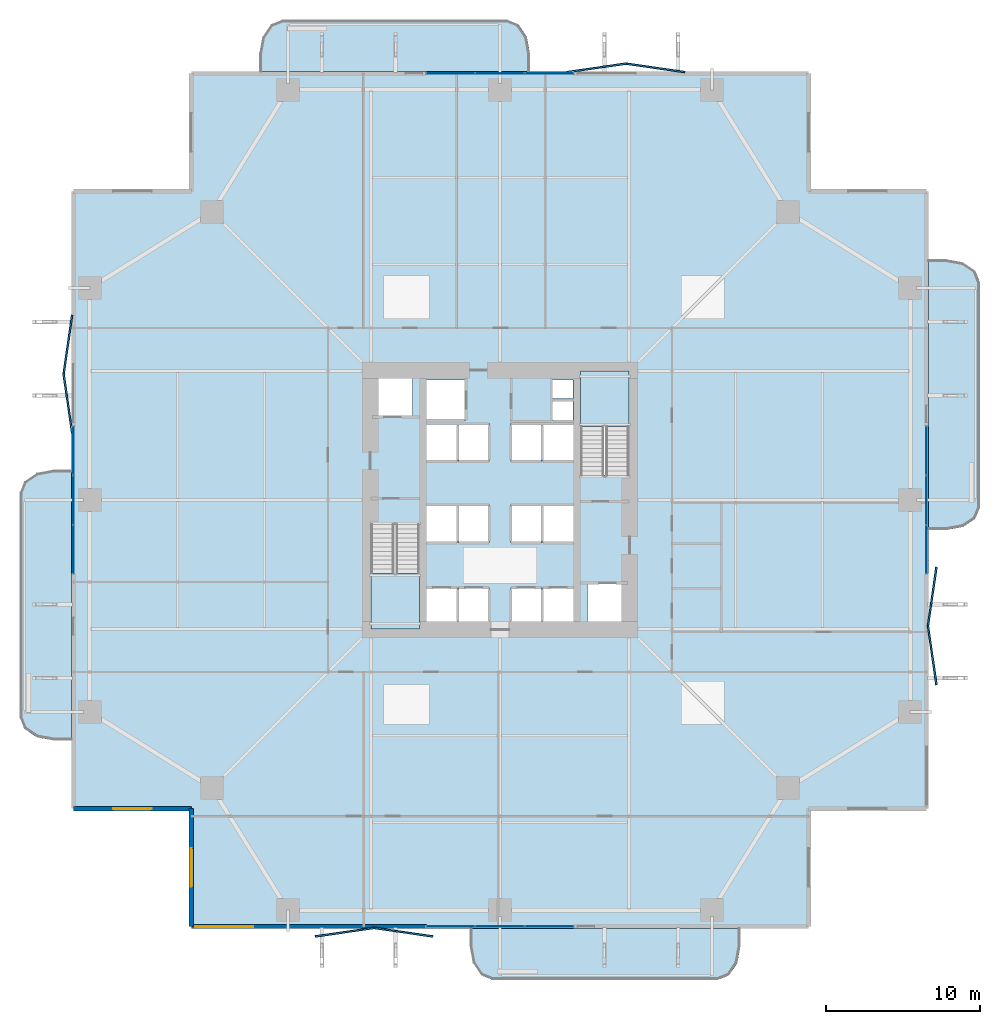
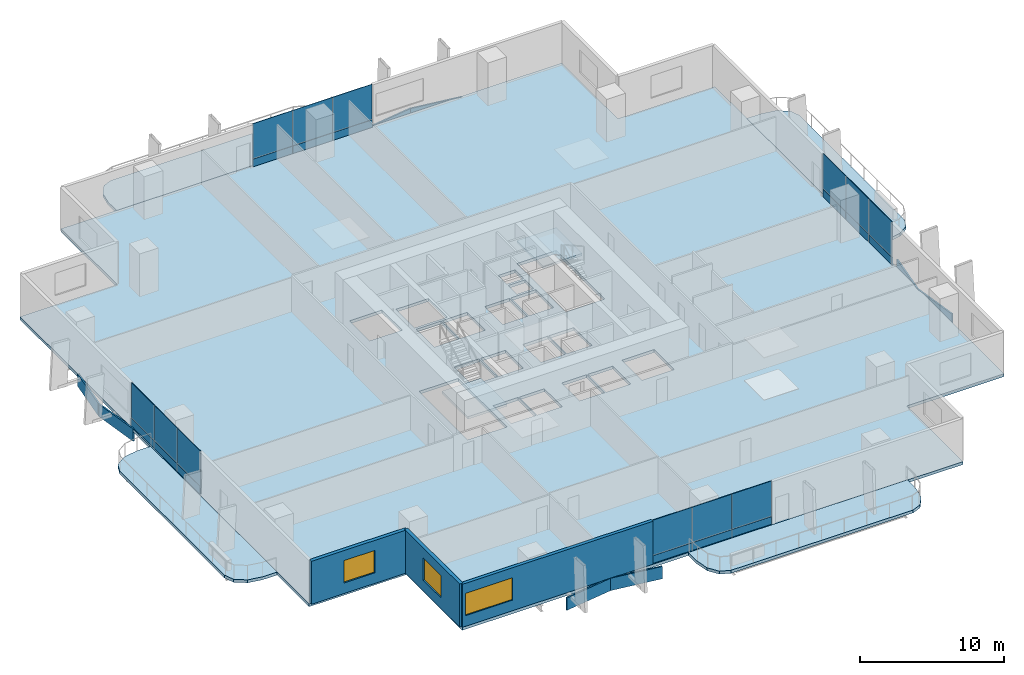
# One storey, part 16 of 24: 32 plates, 7 slabs, 3 walls, 3 windows, 3 openings, 6 elements without a shape of their own.
"""IFC4 building model written with IfcOpenShell, lengths in metres."""

import ifcopenshell
import ifcopenshell.guid

model = None  # the IFC model being written
_history = None  # IfcOwnerHistory: only IFC2X3 demands one
_inside = {}  # id of a spatial element -> (the spatial element, [elements in it])
_under = {}  # id of a project, library or spatial element -> (it, [spatial elements below it])
_declared = {}  # id of a project -> (the project, [libraries it declares])
_typed = {}  # id of a type object -> (the type object, [elements of that type])
_made_of = {}  # id of a material, layer set ... -> (it, [elements and type objects made of it])


def new_model(schema):
    """Start an empty IFC model of exactly this schema.

    Asked for "IFC4X3", IfcOpenShell would pick the latest addendum, in which some entities
    have other attributes; the version numbers below select the first issue.
    IFC2X3 requires an IfcOwnerHistory on every rooted entity: one is made here for all.
    """
    global model, _history
    if schema == "IFC4X3":
        model = ifcopenshell.file(schema_version=(4, 3, 0, 0))
    else:
        model = ifcopenshell.file(schema=schema)
    _inside.clear()
    _under.clear()
    _declared.clear()
    _typed.clear()
    _made_of.clear()
    _history = None
    if model.schema == "IFC2X3":
        org = make("IfcOrganization", Name="unknown")
        user = make(
            "IfcPersonAndOrganization",
            ThePerson=make("IfcPerson", FamilyName="unknown"),
            TheOrganization=org,
        )
        app = make(
            "IfcApplication",
            ApplicationDeveloper=org,
            Version="unknown",
            ApplicationFullName="unknown",
            ApplicationIdentifier="unknown",
        )
        _history = make(
            "IfcOwnerHistory",
            OwningUser=user,
            OwningApplication=app,
            ChangeAction="ADDED",
            CreationDate=0,
        )
    return model


def make(cls, **values):
    """One entity of the class cls with the attributes given. An attribute that is None is left unset."""
    return model.create_entity(
        cls, **{name: value for name, value in values.items() if value is not None}
    )


def rooted(cls, **values):
    """An entity with a GlobalId (a new one), such as an element, a storey or a relation."""
    return make(cls, GlobalId=ifcopenshell.guid.new(), OwnerHistory=_history, **values)


def si_unit(unit_type, name, prefix=None):
    """IfcSIUnit, for example si_unit("LENGTHUNIT", "METRE", prefix="MILLI")."""
    return make("IfcSIUnit", UnitType=unit_type, Prefix=prefix, Name=name)


def assignment(units):
    """IfcUnitAssignment: the units of a project."""
    return None if units is None else make("IfcUnitAssignment", Units=units)


def point(xyz):
    """IfcCartesianPoint."""
    return None if xyz is None else make("IfcCartesianPoint", Coordinates=xyz)


def direction(xyz):
    """IfcDirection."""
    return None if xyz is None else make("IfcDirection", DirectionRatios=xyz)


def frame(location, z_axis=None, x_axis=None):
    """IfcAxis2Placement3D, a coordinate frame: its origin and axes. An axis left out is left unset."""
    return make(
        "IfcAxis2Placement3D",
        Location=point(location),
        Axis=direction(z_axis),
        RefDirection=direction(x_axis),
    )


def frame_2d(location, x_axis=None):
    """IfcAxis2Placement2D, a coordinate frame in the plane: its origin and x axis."""
    return make(
        "IfcAxis2Placement2D", Location=point(location), RefDirection=direction(x_axis)
    )


def origin():
    """The frame at (0, 0, 0) with its axes left unset."""
    return frame((0.0, 0.0, 0.0))


def origin_2d():
    """The frame at (0, 0) in the plane with its x axis left unset."""
    return frame_2d((0.0, 0.0))


def place(relative_to, where):
    """IfcLocalPlacement: puts the frame where relative to a parent placement (None: the world)."""
    return make(
        "IfcLocalPlacement", PlacementRelTo=relative_to, RelativePlacement=where
    )


def context(
    kind, dimensions, precision=None, world=None, true_north=None, identifier=None
):
    """IfcGeometricRepresentationContext, for example the 3D "Model" context."""
    return make(
        "IfcGeometricRepresentationContext",
        ContextIdentifier=identifier,
        ContextType=kind,
        CoordinateSpaceDimension=dimensions,
        Precision=precision,
        WorldCoordinateSystem=world,
        TrueNorth=true_north,
    )


def subcontext(parent, identifier, kind, view, scale=None):
    """IfcGeometricRepresentationSubContext, for example "Body" below "Model"."""
    return make(
        "IfcGeometricRepresentationSubContext",
        ContextIdentifier=identifier,
        ContextType=kind,
        ParentContext=parent,
        TargetScale=scale,
        TargetView=view,
    )


def project(units=None, contexts=None):
    """IfcProject with its units and contexts."""
    return rooted(
        "IfcProject",
        Name="project",
        RepresentationContexts=contexts,
        UnitsInContext=assignment(units),
    )


def spatial(cls, under=None, at=None, **own):
    """A site, building, storey or space (cls), placed at a placement, below another one or the project."""
    s = rooted(cls, ObjectPlacement=at, **own)
    if under is not None:
        _under.setdefault(under.id(), (under, []))[1].append(s)
    return s


def polyline(points):
    """IfcPolyline through the points."""
    return make("IfcPolyline", Points=[point(p) for p in points])


def profile(cls, at=None, kind="AREA", **sizes):
    """A parametric profile (cls). Its sizes go by their IFC names, for example OverallWidth=200.0."""
    return make(cls, ProfileType=kind, Position=at, **sizes)


def rectangle(**sizes):
    """IfcRectangleProfileDef."""
    return profile("IfcRectangleProfileDef", **sizes)


def outline(outer, holes=None, kind="AREA"):
    """IfcArbitraryClosedProfileDef: a profile drawn as a closed curve; with holes, ...WithVoids."""
    if holes is None:
        return make("IfcArbitraryClosedProfileDef", ProfileType=kind, OuterCurve=outer)
    return make(
        "IfcArbitraryProfileDefWithVoids",
        ProfileType=kind,
        OuterCurve=outer,
        InnerCurves=holes,
    )


def extrude(swept, where, along, depth):
    """IfcExtrudedAreaSolid: the profile swept, set in the frame where, extruded along a direction by depth."""
    return make(
        "IfcExtrudedAreaSolid",
        SweptArea=swept,
        Position=where,
        ExtrudedDirection=direction(along),
        Depth=depth,
    )


def shape(context_of_items, identifier, shape_type, items):
    """IfcShapeRepresentation: the items that make up one representation, for example the "Body"."""
    return make(
        "IfcShapeRepresentation",
        ContextOfItems=context_of_items,
        RepresentationIdentifier=identifier,
        RepresentationType=shape_type,
        Items=items,
    )


def material(Name=None, Category=None):
    """IfcMaterial."""
    return make("IfcMaterial", Name=Name, Category=Category)


def layer(
    of_material, thickness, ventilated=None, Name=None, Category=None, Priority=None
):
    """IfcMaterialLayer: one layer of a wall or slab, of a material (None: an air gap)."""
    return make(
        "IfcMaterialLayer",
        Material=of_material,
        LayerThickness=thickness,
        IsVentilated=ventilated,
        Name=Name,
        Category=Category,
        Priority=Priority,
    )


def layer_set(layers, Name=None):
    """IfcMaterialLayerSet."""
    return make("IfcMaterialLayerSet", MaterialLayers=layers, LayerSetName=Name)


def made_of(thing, what):
    """Note that an element or type object is made of a material, layer set ...; save() writes the relation."""
    if what is not None:
        _made_of.setdefault(what.id(), (what, []))[1].append(thing)
    return thing


def type_object(cls, material=None, **own):
    """A type object (cls), such as IfcWallType, which elements share."""
    return made_of(rooted(cls, **own), material)


def element(
    cls,
    number,
    at=None,
    inside=None,
    cuts=None,
    type_object=None,
    material=None,
    context=None,
    identifier="Body",
    shape_type=None,
    held_by="IfcProductDefinitionShape",
    body=None,
    shapes=None,
    **own,
):
    """One element of the class cls, such as IfcWall. Its Tag is "e" and its number.

    at: its placement. inside: the storey or other place that contains it. cuts: it is an
    opening in that element (IfcRelVoidsElement). A single representation is given by context,
    identifier, shape_type and body (its items); several are given by shapes. held_by: the class
    of the entity that holds the representations. save() writes the other relations.
    """
    e = rooted(cls, Tag="e%d" % number, ObjectPlacement=at, **own)
    if body is not None:
        shapes = [shape(context, identifier, shape_type, body)]
    if shapes is not None:
        e.Representation = make(held_by, Representations=shapes)
    if inside is not None:
        _inside.setdefault(inside.id(), (inside, []))[1].append(e)
    if cuts is not None:
        rooted(
            "IfcRelVoidsElement", RelatingBuildingElement=cuts, RelatedOpeningElement=e
        )
    if type_object is not None:
        _typed.setdefault(type_object.id(), (type_object, []))[1].append(e)
    return made_of(e, material)


def fill(opening, filler):
    """IfcRelFillsElement: the door or window that sits in an opening."""
    return rooted(
        "IfcRelFillsElement",
        RelatingOpeningElement=opening,
        RelatedBuildingElement=filler,
    )


def aggregate(whole, parts):
    """IfcRelAggregates: a whole, such as a stair, and the parts it consists of."""
    return rooted("IfcRelAggregates", RelatingObject=whole, RelatedObjects=parts)


def save(model, path):
    """Write the relations noted so far, then the file.

    IfcRelAggregates (storeys below a building ...), IfcRelContainedInSpatialStructure (elements
    in a storey), IfcRelDefinesByType, IfcRelAssociatesMaterial and IfcRelDeclares: one each for
    every whole, place, type object, material and project.
    """
    for whole, parts in _under.values():
        aggregate(whole, parts)
    for where, things in _inside.values():
        rooted(
            "IfcRelContainedInSpatialStructure",
            RelatedElements=things,
            RelatingStructure=where,
        )
    for kind, things in _typed.values():
        rooted("IfcRelDefinesByType", RelatedObjects=things, RelatingType=kind)
    for what, things in _made_of.values():
        rooted("IfcRelAssociatesMaterial", RelatedObjects=things, RelatingMaterial=what)
    for by, libraries in _declared.values():
        rooted("IfcRelDeclares", RelatingContext=by, RelatedDefinitions=libraries)
    model.write(path)


model = new_model("IFC4")

# Units and contexts
model_context = context("Model", 3, precision=1e-05, world=origin(), true_north=direction((0.0, 1.0)))
body_context = subcontext(model_context, "Body", "Model", "MODEL_VIEW")
ifc_project = project(units=[si_unit("LENGTHUNIT", "METRE"), si_unit("AREAUNIT", "SQUARE_METRE"), si_unit("VOLUMEUNIT", "CUBIC_METRE"), si_unit("PLANEANGLEUNIT", "RADIAN"), si_unit("MASSUNIT", "GRAM", prefix="KILO")], contexts=[model_context])

# Site, building, storey
site_placement = place(None, origin())
site = spatial("IfcSite", under=ifc_project, at=site_placement, CompositionType="ELEMENT")
building_placement = place(site_placement, origin())
building = spatial("IfcBuilding", under=site, at=building_placement, Name="Belovzor Exchange Tower", CompositionType="ELEMENT")
storey_placement = place(building_placement, frame((0.0, 0.0, 61.199951171875)))
storey = spatial("IfcBuildingStorey", under=building, at=storey_placement, Name="L14", CompositionType="ELEMENT", Elevation=61.199951171875)

# Slab
ifc_material_1 = material(Name="Concrete C40/50", Category="concrete")
ifc_layer_1 = layer(ifc_material_1, 0.25)
ifc_layer_set_1 = layer_set([ifc_layer_1], Name="Concrete C40/50")
slab_type_1 = type_object("IfcSlabType", Name="Composite Concrete Floor Deck Slab 250", PredefinedType="FLOOR", material=ifc_layer_set_1)
slab_1_placement = place(storey_placement, frame((0.0, 0.0, -0.25)))
element("IfcSlab", 1, at=slab_1_placement, inside=storey, type_object=slab_type_1, Name="SL-F250 Structural Slab L14", PredefinedType="FLOOR", context=body_context, shape_type="SweptSolid", body=[
    extrude(outline(polyline([(8.699951171875, 0.89990234375), (48.89990234375, 0.89990234375), (48.89990234375, 8.699951171875), (56.699951171875, 8.699951171875), (56.699951171875, 48.89990234375), (48.89990234375, 48.89990234375), (48.89990234375, 56.699951171875), (8.699951171875, 56.699951171875), (8.699951171875, 48.89990234375), (0.89990234375, 48.89990234375), (0.89990234375, 8.699951171875), (8.699951171875, 8.699951171875), (8.699951171875, 0.89990234375)]), holes=[polyline([(20.39990234375, 27.175048828125), (20.39990234375, 20.39990234375), (23.550048828125, 20.39990234375), (23.550048828125, 27.175048828125), (20.39990234375, 27.175048828125)]), polyline([(37.199951171875, 30.425048828125), (37.199951171875, 37.199951171875), (34.050048828125, 37.199951171875), (34.050048828125, 30.425048828125), (37.199951171875, 30.425048828125)]), polyline([(20.5, 34.199951171875), (23.10009765625, 34.199951171875), (23.10009765625, 37.0), (20.5, 37.0), (20.5, 34.199951171875)]), polyline([(34.5, 20.60009765625), (37.10009765625, 20.60009765625), (37.10009765625, 23.39990234375), (34.5, 23.39990234375), (34.5, 20.60009765625)]), polyline([(24.0, 34.0), (26.60009765625, 34.0), (26.60009765625, 36.60009765625), (24.0, 36.60009765625), (24.0, 34.0)]), polyline([(24.0, 20.60009765625), (26.0, 20.60009765625), (26.0, 23.10009765625), (24.0, 23.10009765625), (24.0, 20.60009765625)]), polyline([(26.10009765625, 20.60009765625), (28.10009765625, 20.60009765625), (28.10009765625, 23.10009765625), (26.10009765625, 23.10009765625), (26.10009765625, 20.60009765625)]), polyline([(29.5, 20.60009765625), (31.5, 20.60009765625), (31.5, 23.10009765625), (29.5, 23.10009765625), (29.5, 20.60009765625)]), polyline([(31.60009765625, 20.60009765625), (33.60009765625, 20.60009765625), (33.60009765625, 23.10009765625), (31.60009765625, 23.10009765625), (31.60009765625, 20.60009765625)]), polyline([(24.0, 26.0), (26.0, 26.0), (26.0, 28.5), (24.0, 28.5), (24.0, 26.0)]), polyline([(26.10009765625, 26.0), (28.10009765625, 26.0), (28.10009765625, 28.5), (26.10009765625, 28.5), (26.10009765625, 26.0)]), polyline([(29.5, 26.0), (31.5, 26.0), (31.5, 28.5), (29.5, 28.5), (29.5, 26.0)]), polyline([(31.60009765625, 26.0), (33.60009765625, 26.0), (33.60009765625, 28.5), (31.60009765625, 28.5), (31.60009765625, 26.0)]), polyline([(24.0, 31.300048828125), (26.0, 31.300048828125), (26.0, 33.800048828125), (24.0, 33.800048828125), (24.0, 31.300048828125)]), polyline([(26.10009765625, 31.300048828125), (28.10009765625, 31.300048828125), (28.10009765625, 33.800048828125), (26.10009765625, 33.800048828125), (26.10009765625, 31.300048828125)]), polyline([(29.5, 31.300048828125), (31.5, 31.300048828125), (31.5, 33.800048828125), (29.5, 33.800048828125), (29.5, 31.300048828125)]), polyline([(31.60009765625, 31.300048828125), (33.60009765625, 31.300048828125), (33.60009765625, 33.800048828125), (31.60009765625, 33.800048828125), (31.60009765625, 31.300048828125)]), polyline([(32.199951171875, 34.0), (33.550048828125, 34.0), (33.550048828125, 35.199951171875), (32.199951171875, 35.199951171875), (32.199951171875, 34.0)]), polyline([(32.199951171875, 35.39990234375), (33.550048828125, 35.39990234375), (33.550048828125, 36.60009765625), (32.199951171875, 36.60009765625), (32.199951171875, 35.39990234375)])]), origin(), (0.0, 0.0, 1.0), 0.25),
])

# Plates
ifc_material_2 = material(Name="Extruded Architectural Terracotta", Category="masonry")
ifc_layer_2 = layer(ifc_material_2, 0.1201171875)
ifc_layer_set_2 = layer_set([ifc_layer_2], Name="Extruded Architectural Terracotta")
plate_type_1 = type_object("IfcPlateType", Name="Folded Zigzag Terracotta Spandrel Louvre 80", PredefinedType="USERDEFINED", material=ifc_layer_set_2)
for number, where, z_axis, x_axis, name in (
    (2, (18.699951171875, 0.6650390625, -1.03515625), (0.0, 0.0, 1.0), (0.989686419138, 0.143250800258, 0.0), "LVR-ZZ1 Zigzag Terracotta Spandrel Louvre L14 S1A"),
    (3, (22.5, 0.6650390625, -1.03515625), (0.0, 0.0, 1.0), (0.989686419138, -0.143250800258, 0.0), "LVR-ZZ1 Zigzag Terracotta Spandrel Louvre L14 S1B"),
    (4, (56.93505859375, 18.699951171875, -1.03515625), (0.0, 0.0, 1.0), (-0.143250800258, 0.989686419138, 0.0), "LVR-ZZ1 Zigzag Terracotta Spandrel Louvre L14 E1A"),
    (5, (56.93505859375, 22.5, -1.03515625), (0.0, 0.0, 1.0), (0.143250800258, 0.989686419138, 0.0), "LVR-ZZ1 Zigzag Terracotta Spandrel Louvre L14 E1B"),
    (6, (35.10009765625, 56.93505859375, -1.03515625), (0.0, 0.0, 1.0), (0.989686419138, 0.143250800258, 0.0), "LVR-ZZ1 Zigzag Terracotta Spandrel Louvre L14 N2A"),
    (7, (38.89990234375, 56.93505859375, -1.03515625), (0.0, 0.0, 1.0), (0.989686419138, -0.143250800258, 0.0), "LVR-ZZ1 Zigzag Terracotta Spandrel Louvre L14 N2B"),
    (8, (0.6650390625, 35.10009765625, -1.03515625), (0.0, 0.0, 1.0), (-0.143250800258, 0.989686419138, 0.0), "LVR-ZZ1 Zigzag Terracotta Spandrel Louvre L14 W2A"),
    (9, (0.6650390625, 38.89990234375, -1.03515625), (0.0, 0.0, 1.0), (0.143250800258, 0.989686419138, 0.0), "LVR-ZZ1 Zigzag Terracotta Spandrel Louvre L14 W2B"),
):
    element("IfcPlate", number, at=place(storey_placement, frame(where, z_axis=z_axis, x_axis=x_axis)), inside=storey, type_object=plate_type_1, Name=name, ObjectType="SPANDREL_LOUVRE", PredefinedType="USERDEFINED", context=body_context, shape_type="SweptSolid", body=[
        extrude(rectangle(XDim=3.919921875, YDim=0.1201171875, at=origin_2d()), origin(), (0.0, 0.0, 1.0), 1.050048828125),
    ])

# Curtain wall, plates
ifc_material_3 = material(Name="Anodised Aluminium Framing", Category="aluminium")
ifc_layer_3 = layer(ifc_material_3, 0.179931640625)
ifc_layer_set_3 = layer_set([ifc_layer_3], Name="Anodised Aluminium Framing")
curtain_wall_type = type_object("IfcCurtainWallType", Name="Recessed Loggia Low-Iron Triple-Glazed Curtain Wall", PredefinedType="NOTDEFINED", material=ifc_layer_set_3)
curtain_wall_1_placement = place(storey_placement, origin())
curtain_wall_1 = element("IfcCurtainWall", 10, at=curtain_wall_1_placement, inside=storey, type_object=curtain_wall_type, Name="CW3 Recessed Loggia Low-Iron Triple-Glazed Curtain Wall L14", PredefinedType="NOTDEFINED")
ifc_material_4 = material(Name="Solar-Control Triple Glazing", Category="glass")
ifc_layer_4 = layer(ifc_material_4, 0.0439453125)
ifc_layer_set_4 = layer_set([ifc_layer_4], Name="Solar-Control Triple Glazing")
plate_type_2 = type_object("IfcPlateType", Name="Insulated Solar Glazing Curtain Panel 44", PredefinedType="CURTAIN_PANEL", material=ifc_layer_set_4)
plate_1_placement = place(storey_placement, frame((32.0, 1.030029296875, 0.652099609375), z_axis=(0.0, 0.0, 1.0), x_axis=(-1.0, 0.0, 0.0)))
plate_1 = element("IfcPlate", 11, at=plate_1_placement, type_object=plate_type_2, Name="GLZ-44 Glazed Curtain Panel 1", PredefinedType="CURTAIN_PANEL", context=body_context, shape_type="SweptSolid", body=[
    extrude(rectangle(XDim=3.18408203125, YDim=0.0439453125, at=origin_2d()), origin(), (0.0, 0.0, 1.0), 2.998046875),
])
plate_2_placement = place(storey_placement, frame((28.800048828125, 1.030029296875, 0.652099609375), z_axis=(0.0, 0.0, 1.0), x_axis=(-1.0, 0.0, 0.0)))
plate_2 = element("IfcPlate", 12, at=plate_2_placement, type_object=plate_type_2, Name="GLZ-44 Glazed Curtain Panel 2", PredefinedType="CURTAIN_PANEL", context=body_context, shape_type="SweptSolid", body=[
    extrude(rectangle(XDim=3.18408203125, YDim=0.0439453125, at=origin_2d()), origin(), (0.0, 0.0, 1.0), 2.998046875),
])
plate_3_placement = place(storey_placement, frame((25.60009765625, 1.030029296875, 0.652099609375), z_axis=(0.0, 0.0, 1.0), x_axis=(-1.0, 0.0, 0.0)))
plate_3 = element("IfcPlate", 13, at=plate_3_placement, type_object=plate_type_2, Name="GLZ-44 Glazed Curtain Panel 3", PredefinedType="CURTAIN_PANEL", context=body_context, shape_type="SweptSolid", body=[
    extrude(rectangle(XDim=3.18408203125, YDim=0.0439453125, at=origin_2d()), origin(), (0.0, 0.0, 1.0), 2.998046875),
])

curtain_wall_2_placement = place(storey_placement, origin())
curtain_wall_2 = element("IfcCurtainWall", 14, at=curtain_wall_2_placement, inside=storey, type_object=curtain_wall_type, Name="CW3 Recessed Loggia Low-Iron Triple-Glazed Curtain Wall L14", PredefinedType="NOTDEFINED")
plate_4_placement = place(storey_placement, frame((25.60009765625, 56.570068359375, 0.652099609375), z_axis=(0.0, 0.0, 1.0), x_axis=(1.0, 0.0, 0.0)))
plate_4 = element("IfcPlate", 15, at=plate_4_placement, type_object=plate_type_2, Name="GLZ-44 Glazed Curtain Panel 1", PredefinedType="CURTAIN_PANEL", context=body_context, shape_type="SweptSolid", body=[
    extrude(rectangle(XDim=3.18408203125, YDim=0.0439453125, at=origin_2d()), origin(), (0.0, 0.0, 1.0), 2.998046875),
])
plate_5_placement = place(storey_placement, frame((28.800048828125, 56.570068359375, 0.652099609375), z_axis=(0.0, 0.0, 1.0), x_axis=(1.0, 0.0, 0.0)))
plate_5 = element("IfcPlate", 16, at=plate_5_placement, type_object=plate_type_2, Name="GLZ-44 Glazed Curtain Panel 2", PredefinedType="CURTAIN_PANEL", context=body_context, shape_type="SweptSolid", body=[
    extrude(rectangle(XDim=3.18408203125, YDim=0.0439453125, at=origin_2d()), origin(), (0.0, 0.0, 1.0), 2.998046875),
])
plate_6_placement = place(storey_placement, frame((32.0, 56.570068359375, 0.652099609375), z_axis=(0.0, 0.0, 1.0), x_axis=(1.0, 0.0, 0.0)))
plate_6 = element("IfcPlate", 17, at=plate_6_placement, type_object=plate_type_2, Name="GLZ-44 Glazed Curtain Panel 3", PredefinedType="CURTAIN_PANEL", context=body_context, shape_type="SweptSolid", body=[
    extrude(rectangle(XDim=3.18408203125, YDim=0.0439453125, at=origin_2d()), origin(), (0.0, 0.0, 1.0), 2.998046875),
])

curtain_wall_3_placement = place(storey_placement, origin())
curtain_wall_3 = element("IfcCurtainWall", 18, at=curtain_wall_3_placement, inside=storey, type_object=curtain_wall_type, Name="CW3 Recessed Loggia Low-Iron Triple-Glazed Curtain Wall L14", PredefinedType="NOTDEFINED")
plate_7_placement = place(storey_placement, frame((1.030029296875, 25.60009765625, 0.652099609375), z_axis=(0.0, 0.0, 1.0), x_axis=(0.0, 1.0, 0.0)))
plate_7 = element("IfcPlate", 19, at=plate_7_placement, type_object=plate_type_2, Name="GLZ-44 Glazed Curtain Panel 1", PredefinedType="CURTAIN_PANEL", context=body_context, shape_type="SweptSolid", body=[
    extrude(rectangle(XDim=3.18408203125, YDim=0.0439453125, at=origin_2d()), origin(), (0.0, 0.0, 1.0), 2.998046875),
])
plate_8_placement = place(storey_placement, frame((1.030029296875, 28.800048828125, 0.652099609375), z_axis=(0.0, 0.0, 1.0), x_axis=(0.0, 1.0, 0.0)))
plate_8 = element("IfcPlate", 20, at=plate_8_placement, type_object=plate_type_2, Name="GLZ-44 Glazed Curtain Panel 2", PredefinedType="CURTAIN_PANEL", context=body_context, shape_type="SweptSolid", body=[
    extrude(rectangle(XDim=3.18408203125, YDim=0.0439453125, at=origin_2d()), origin(), (0.0, 0.0, 1.0), 2.998046875),
])
plate_9_placement = place(storey_placement, frame((1.030029296875, 32.0, 0.652099609375), z_axis=(0.0, 0.0, 1.0), x_axis=(0.0, 1.0, 0.0)))
plate_9 = element("IfcPlate", 21, at=plate_9_placement, type_object=plate_type_2, Name="GLZ-44 Glazed Curtain Panel 3", PredefinedType="CURTAIN_PANEL", context=body_context, shape_type="SweptSolid", body=[
    extrude(rectangle(XDim=3.18408203125, YDim=0.0439453125, at=origin_2d()), origin(), (0.0, 0.0, 1.0), 2.998046875),
])

curtain_wall_4_placement = place(storey_placement, origin())
curtain_wall_4 = element("IfcCurtainWall", 22, at=curtain_wall_4_placement, inside=storey, type_object=curtain_wall_type, Name="CW3 Recessed Loggia Low-Iron Triple-Glazed Curtain Wall L14", PredefinedType="NOTDEFINED")
plate_10_placement = place(storey_placement, frame((56.570068359375, 32.0, 0.652099609375), z_axis=(0.0, 0.0, 1.0), x_axis=(0.0, -1.0, 0.0)))
plate_10 = element("IfcPlate", 23, at=plate_10_placement, type_object=plate_type_2, Name="GLZ-44 Glazed Curtain Panel 1", PredefinedType="CURTAIN_PANEL", context=body_context, shape_type="SweptSolid", body=[
    extrude(rectangle(XDim=3.18408203125, YDim=0.0439453125, at=origin_2d()), origin(), (0.0, 0.0, 1.0), 2.998046875),
])
plate_11_placement = place(storey_placement, frame((56.570068359375, 28.800048828125, 0.652099609375), z_axis=(0.0, 0.0, 1.0), x_axis=(0.0, -1.0, 0.0)))
plate_11 = element("IfcPlate", 24, at=plate_11_placement, type_object=plate_type_2, Name="GLZ-44 Glazed Curtain Panel 2", PredefinedType="CURTAIN_PANEL", context=body_context, shape_type="SweptSolid", body=[
    extrude(rectangle(XDim=3.18408203125, YDim=0.0439453125, at=origin_2d()), origin(), (0.0, 0.0, 1.0), 2.998046875),
])
plate_12_placement = place(storey_placement, frame((56.570068359375, 25.60009765625, 0.652099609375), z_axis=(0.0, 0.0, 1.0), x_axis=(0.0, -1.0, 0.0)))
plate_12 = element("IfcPlate", 25, at=plate_12_placement, type_object=plate_type_2, Name="GLZ-44 Glazed Curtain Panel 3", PredefinedType="CURTAIN_PANEL", context=body_context, shape_type="SweptSolid", body=[
    extrude(rectangle(XDim=3.18408203125, YDim=0.0439453125, at=origin_2d()), origin(), (0.0, 0.0, 1.0), 2.998046875),
])

# Stair, slab
ifc_material_5 = material(Name="Concrete C40/50", Category="concrete")
stair_type = type_object("IfcStairType", Name="Reinforced Concrete Dogleg Escape Stair 1350", PredefinedType="HALF_TURN_STAIR", material=ifc_material_5)
stair_1_placement = place(storey_placement, origin())
stair_1 = element("IfcStair", 26, at=stair_1_placement, inside=storey, type_object=stair_type, Name="L14 ST-1", PredefinedType="HALF_TURN_STAIR")
ifc_material_6 = material(Name="Concrete C40/50", Category="concrete")
ifc_layer_5 = layer(ifc_material_6, 0.199951171875)
ifc_layer_set_5 = layer_set([ifc_layer_5], Name="Concrete C40/50")
slab_type_2 = type_object("IfcSlabType", Name="Reinforced Concrete Stair Half-Landing Slab 200", PredefinedType="LANDING", material=ifc_layer_set_5)
slab_2_placement = place(storey_placement, frame((0.0, 0.0, 1.75)))
slab_2 = element("IfcSlab", 27, at=slab_2_placement, type_object=slab_type_2, Name="ST-1 landing 1", PredefinedType="LANDING", context=body_context, shape_type="SweptSolid", body=[
    extrude(outline(polyline([(20.39990234375, 24.010009765625), (20.39990234375, 20.39990234375), (23.550048828125, 20.39990234375), (23.550048828125, 24.010009765625), (20.39990234375, 24.010009765625)])), origin(), (0.0, 0.0, 1.0), 0.199951171875),
])
aggregate(stair_1, [slab_2])

stair_2_placement = place(storey_placement, origin())
stair_2 = element("IfcStair", 28, at=stair_2_placement, inside=storey, type_object=stair_type, Name="L14 ST-2", PredefinedType="HALF_TURN_STAIR")
slab_3_placement = place(storey_placement, frame((0.0, 0.0, 1.75)))
slab_3 = element("IfcSlab", 29, at=slab_3_placement, type_object=slab_type_2, Name="ST-2 landing 1", PredefinedType="LANDING", context=body_context, shape_type="SweptSolid", body=[
    extrude(outline(polyline([(37.199951171875, 33.590087890625), (37.199951171875, 37.199951171875), (34.050048828125, 37.199951171875), (34.050048828125, 33.590087890625), (37.199951171875, 33.590087890625)])), origin(), (0.0, 0.0, 1.0), 0.199951171875),
])
aggregate(stair_2, [slab_3])

# Plate
ifc_material_7 = material(Name="Extruded Architectural Terracotta", Category="masonry")
ifc_layer_6 = layer(ifc_material_7, 0.090087890625)
ifc_layer_set_6 = layer_set([ifc_layer_6], Name="Extruded Architectural Terracotta")
plate_type_3 = type_object("IfcPlateType", Name="Terracotta Shadow-Box Spandrel Panel 90", PredefinedType="CURTAIN_PANEL", material=ifc_layer_set_6)
plate_13_placement = place(storey_placement, frame((32.0, 1.030029296875, 0.0), z_axis=(0.0, 0.0, 1.0), x_axis=(-1.0, 0.0, 0.0)))
plate_13 = element("IfcPlate", 30, at=plate_13_placement, type_object=plate_type_3, Name="SPD-90 Spandrel Panel 1", PredefinedType="CURTAIN_PANEL", context=body_context, shape_type="SweptSolid", body=[
    extrude(rectangle(XDim=3.18408203125, YDim=0.090087890625, at=origin_2d()), origin(), (0.0, 0.0, 1.0), 0.64794921875),
])

plate_14_placement = place(storey_placement, frame((28.800048828125, 1.030029296875, 0.0), z_axis=(0.0, 0.0, 1.0), x_axis=(-1.0, 0.0, 0.0)))
plate_14 = element("IfcPlate", 31, at=plate_14_placement, type_object=plate_type_3, Name="SPD-90 Spandrel Panel 2", PredefinedType="CURTAIN_PANEL", context=body_context, shape_type="SweptSolid", body=[
    extrude(rectangle(XDim=3.18408203125, YDim=0.090087890625, at=origin_2d()), origin(), (0.0, 0.0, 1.0), 0.64794921875),
])

plate_15_placement = place(storey_placement, frame((25.60009765625, 1.030029296875, 0.0), z_axis=(0.0, 0.0, 1.0), x_axis=(-1.0, 0.0, 0.0)))
plate_15 = element("IfcPlate", 32, at=plate_15_placement, type_object=plate_type_3, Name="SPD-90 Spandrel Panel 3", PredefinedType="CURTAIN_PANEL", context=body_context, shape_type="SweptSolid", body=[
    extrude(rectangle(XDim=3.18408203125, YDim=0.090087890625, at=origin_2d()), origin(), (0.0, 0.0, 1.0), 0.64794921875),
])

aggregate(curtain_wall_1, [plate_13, plate_1, plate_14, plate_2, plate_15, plate_3])

plate_16_placement = place(storey_placement, frame((25.60009765625, 56.570068359375, 0.0), z_axis=(0.0, 0.0, 1.0), x_axis=(1.0, 0.0, 0.0)))
plate_16 = element("IfcPlate", 33, at=plate_16_placement, type_object=plate_type_3, Name="SPD-90 Spandrel Panel 1", PredefinedType="CURTAIN_PANEL", context=body_context, shape_type="SweptSolid", body=[
    extrude(rectangle(XDim=3.18408203125, YDim=0.090087890625, at=origin_2d()), origin(), (0.0, 0.0, 1.0), 0.64794921875),
])

plate_17_placement = place(storey_placement, frame((28.800048828125, 56.570068359375, 0.0), z_axis=(0.0, 0.0, 1.0), x_axis=(1.0, 0.0, 0.0)))
plate_17 = element("IfcPlate", 34, at=plate_17_placement, type_object=plate_type_3, Name="SPD-90 Spandrel Panel 2", PredefinedType="CURTAIN_PANEL", context=body_context, shape_type="SweptSolid", body=[
    extrude(rectangle(XDim=3.18408203125, YDim=0.090087890625, at=origin_2d()), origin(), (0.0, 0.0, 1.0), 0.64794921875),
])

plate_18_placement = place(storey_placement, frame((32.0, 56.570068359375, 0.0), z_axis=(0.0, 0.0, 1.0), x_axis=(1.0, 0.0, 0.0)))
plate_18 = element("IfcPlate", 35, at=plate_18_placement, type_object=plate_type_3, Name="SPD-90 Spandrel Panel 3", PredefinedType="CURTAIN_PANEL", context=body_context, shape_type="SweptSolid", body=[
    extrude(rectangle(XDim=3.18408203125, YDim=0.090087890625, at=origin_2d()), origin(), (0.0, 0.0, 1.0), 0.64794921875),
])

aggregate(curtain_wall_2, [plate_16, plate_4, plate_17, plate_5, plate_18, plate_6])

plate_19_placement = place(storey_placement, frame((1.030029296875, 25.60009765625, 0.0), z_axis=(0.0, 0.0, 1.0), x_axis=(0.0, 1.0, 0.0)))
plate_19 = element("IfcPlate", 36, at=plate_19_placement, type_object=plate_type_3, Name="SPD-90 Spandrel Panel 1", PredefinedType="CURTAIN_PANEL", context=body_context, shape_type="SweptSolid", body=[
    extrude(rectangle(XDim=3.18408203125, YDim=0.090087890625, at=origin_2d()), origin(), (0.0, 0.0, 1.0), 0.64794921875),
])

plate_20_placement = place(storey_placement, frame((1.030029296875, 28.800048828125, 0.0), z_axis=(0.0, 0.0, 1.0), x_axis=(0.0, 1.0, 0.0)))
plate_20 = element("IfcPlate", 37, at=plate_20_placement, type_object=plate_type_3, Name="SPD-90 Spandrel Panel 2", PredefinedType="CURTAIN_PANEL", context=body_context, shape_type="SweptSolid", body=[
    extrude(rectangle(XDim=3.18408203125, YDim=0.090087890625, at=origin_2d()), origin(), (0.0, 0.0, 1.0), 0.64794921875),
])

plate_21_placement = place(storey_placement, frame((1.030029296875, 32.0, 0.0), z_axis=(0.0, 0.0, 1.0), x_axis=(0.0, 1.0, 0.0)))
plate_21 = element("IfcPlate", 38, at=plate_21_placement, type_object=plate_type_3, Name="SPD-90 Spandrel Panel 3", PredefinedType="CURTAIN_PANEL", context=body_context, shape_type="SweptSolid", body=[
    extrude(rectangle(XDim=3.18408203125, YDim=0.090087890625, at=origin_2d()), origin(), (0.0, 0.0, 1.0), 0.64794921875),
])

aggregate(curtain_wall_3, [plate_19, plate_7, plate_20, plate_8, plate_21, plate_9])

plate_22_placement = place(storey_placement, frame((56.570068359375, 32.0, 0.0), z_axis=(0.0, 0.0, 1.0), x_axis=(0.0, -1.0, 0.0)))
plate_22 = element("IfcPlate", 39, at=plate_22_placement, type_object=plate_type_3, Name="SPD-90 Spandrel Panel 1", PredefinedType="CURTAIN_PANEL", context=body_context, shape_type="SweptSolid", body=[
    extrude(rectangle(XDim=3.18408203125, YDim=0.090087890625, at=origin_2d()), origin(), (0.0, 0.0, 1.0), 0.64794921875),
])

plate_23_placement = place(storey_placement, frame((56.570068359375, 28.800048828125, 0.0), z_axis=(0.0, 0.0, 1.0), x_axis=(0.0, -1.0, 0.0)))
plate_23 = element("IfcPlate", 40, at=plate_23_placement, type_object=plate_type_3, Name="SPD-90 Spandrel Panel 2", PredefinedType="CURTAIN_PANEL", context=body_context, shape_type="SweptSolid", body=[
    extrude(rectangle(XDim=3.18408203125, YDim=0.090087890625, at=origin_2d()), origin(), (0.0, 0.0, 1.0), 0.64794921875),
])

plate_24_placement = place(storey_placement, frame((56.570068359375, 25.60009765625, 0.0), z_axis=(0.0, 0.0, 1.0), x_axis=(0.0, -1.0, 0.0)))
plate_24 = element("IfcPlate", 41, at=plate_24_placement, type_object=plate_type_3, Name="SPD-90 Spandrel Panel 3", PredefinedType="CURTAIN_PANEL", context=body_context, shape_type="SweptSolid", body=[
    extrude(rectangle(XDim=3.18408203125, YDim=0.090087890625, at=origin_2d()), origin(), (0.0, 0.0, 1.0), 0.64794921875),
])

aggregate(curtain_wall_4, [plate_22, plate_10, plate_23, plate_11, plate_24, plate_12])

# Slabs
ifc_material_8 = material(Name="Concrete C40/50", Category="concrete")
ifc_layer_7 = layer(ifc_material_8, 0.25)
ifc_layer_set_7 = layer_set([ifc_layer_7], Name="Concrete C40/50")
slab_type_3 = type_object("IfcSlabType", Name="Thermally Broken Planted Balcony Slab 250", PredefinedType="FLOOR", material=ifc_layer_set_7)
slab_4_placement = place(storey_placement, frame((0.0, 0.0, -0.25)))
element("IfcSlab", 42, at=slab_4_placement, inside=storey, type_object=slab_type_3, Name="SL-BAL220 Planted Balcony Loggia L14 South", PredefinedType="FLOOR", context=body_context, shape_type="SweptSolid", body=[
    extrude(outline(polyline([(26.85009765625, 0.9150390625), (26.85009765625, -0.25), (27.051025390625, -1.35009765625), (27.60009765625, -2.155029296875), (28.35009765625, -2.449951171875), (42.949951171875, -2.449951171875), (43.699951171875, -2.155029296875), (44.2490234375, -1.35009765625), (44.449951171875, -0.25), (44.449951171875, 0.9150390625), (26.85009765625, 0.9150390625)])), origin(), (0.0, 0.0, 1.0), 0.25),
])
slab_5_placement = place(storey_placement, frame((0.0, 0.0, -0.25)))
element("IfcSlab", 43, at=slab_5_placement, inside=storey, type_object=slab_type_3, Name="SL-BAL220 Planted Balcony Loggia L14 North", PredefinedType="FLOOR", context=body_context, shape_type="SweptSolid", body=[
    extrude(outline(polyline([(30.75, 56.68505859375), (30.75, 57.85009765625), (30.549072265625, 58.949951171875), (30.0, 59.7548828125), (29.25, 60.050048828125), (14.64990234375, 60.050048828125), (13.89990234375, 59.7548828125), (13.35107421875, 58.949951171875), (13.14990234375, 57.85009765625), (13.14990234375, 56.68505859375), (30.75, 56.68505859375)])), origin(), (0.0, 0.0, 1.0), 0.25),
])
slab_6_placement = place(storey_placement, frame((0.0, 0.0, -0.25)))
element("IfcSlab", 44, at=slab_6_placement, inside=storey, type_object=slab_type_3, Name="SL-BAL220 Planted Balcony Loggia L14 East", PredefinedType="FLOOR", context=body_context, shape_type="SweptSolid", body=[
    extrude(outline(polyline([(56.68505859375, 26.85009765625), (57.85009765625, 26.85009765625), (58.949951171875, 27.051025390625), (59.7548828125, 27.60009765625), (60.050048828125, 28.35009765625), (60.050048828125, 42.949951171875), (59.7548828125, 43.699951171875), (58.949951171875, 44.2490234375), (57.85009765625, 44.449951171875), (56.68505859375, 44.449951171875), (56.68505859375, 26.85009765625)])), origin(), (0.0, 0.0, 1.0), 0.25),
])
slab_7_placement = place(storey_placement, frame((0.0, 0.0, -0.25)))
element("IfcSlab", 45, at=slab_7_placement, inside=storey, type_object=slab_type_3, Name="SL-BAL220 Planted Balcony Loggia L14 West", PredefinedType="FLOOR", context=body_context, shape_type="SweptSolid", body=[
    extrude(outline(polyline([(0.9150390625, 30.75), (-0.25, 30.75), (-1.35009765625, 30.549072265625), (-2.155029296875, 30.0), (-2.449951171875, 29.25), (-2.449951171875, 14.64990234375), (-2.155029296875, 13.89990234375), (-1.35009765625, 13.35107421875), (-0.25, 13.14990234375), (0.9150390625, 13.14990234375), (0.9150390625, 30.75)])), origin(), (0.0, 0.0, 1.0), 0.25),
])

# Wall, opening, window
ifc_material_9 = material(Name="Precast concrete C40/50", Category="concrete")
ifc_layer_8 = layer(ifc_material_9, 0.280029296875)
ifc_layer_set_8 = layer_set([ifc_layer_8], Name="Precast concrete C40/50")
wall_type_1 = type_object("IfcWallType", Name="Precast Concrete Notched Corner Frame Wall 280", PredefinedType="SOLIDWALL", material=ifc_layer_set_8)
wall_1_placement = place(storey_placement, frame((8.699951171875, 1.030029296875, 0.0), z_axis=(0.0, 0.0, 1.0), x_axis=(0.0, 1.0, 0.0)))
wall_1 = element("IfcWall", 46, at=wall_1_placement, inside=storey, type_object=wall_type_1, Name="W-CRN280 Precast Concrete Notched Corner Frame Wall 280 L14", PredefinedType="SOLIDWALL", context=body_context, shape_type="SweptSolid", body=[
    extrude(rectangle(XDim=7.669921875, YDim=0.280029296875, at=frame_2d((3.8349609375, 0.0))), origin(), (0.0, 0.0, 1.0), 3.650146484375),
])
opening_1_placement = place(wall_1_placement, frame((2.5849609375, 0.0, 0.89990234375)))
opening_1 = element("IfcOpeningElement", 47, at=opening_1_placement, cuts=wall_1, Name="Opening WN-CRN250", PredefinedType="OPENING", context=body_context, shape_type="SweptSolid", body=[
    extrude(rectangle(XDim=2.5, YDim=1.89990234375, at=frame_2d((1.25, 0.949951171875))), frame((0.0, 0.14990234375, 0.0), z_axis=(0.0, -1.0, 0.0), x_axis=(1.0, 0.0, 0.0)), (0.0, 0.0, 1.0), 0.300048828125),
])
ifc_material_10 = material(Name="Thermally Broken Aluminium and Triple Glazing", Category="aluminium")
window_type_1 = type_object("IfcWindowType", Name="Streamline Moderne Corner Wrap Ribbon Window 2500x1900", PartitioningType="SINGLE_PANEL", PredefinedType="WINDOW", material=ifc_material_10)
window_1_placement = place(opening_1_placement, origin())
window_1 = element("IfcWindow", 48, at=window_1_placement, inside=storey, type_object=window_type_1, Name="WN-CRN250 Streamline Moderne Corner Wrap Ribbon Window 2500x1900", OverallHeight=1.89990234375, OverallWidth=2.5, PartitioningType="SINGLE_PANEL", PredefinedType="WINDOW", context=body_context, shape_type="SweptSolid", body=[
    extrude(rectangle(XDim=2.5, YDim=1.89990234375, at=frame_2d((1.25, 0.949951171875))), frame((0.0, 0.030029296875, 0.0), z_axis=(0.0, -1.0, 0.0), x_axis=(1.0, 0.0, 0.0)), (0.0, 0.0, 1.0), 0.06005859375),
])
fill(opening_1, window_1)

wall_2_placement = place(storey_placement, frame((8.699951171875, 8.699951171875, 0.0), z_axis=(0.0, 0.0, 1.0), x_axis=(-1.0, 0.0, 0.0)))
wall_2 = element("IfcWall", 49, at=wall_2_placement, inside=storey, type_object=wall_type_1, Name="W-CRN280 Precast Concrete Notched Corner Frame Wall 280 L14", PredefinedType="SOLIDWALL", context=body_context, shape_type="SweptSolid", body=[
    extrude(rectangle(XDim=7.669921875, YDim=0.280029296875, at=frame_2d((3.8349609375, 0.0))), origin(), (0.0, 0.0, 1.0), 3.650146484375),
])
opening_2_placement = place(wall_2_placement, frame((2.5849609375, 0.0, 0.89990234375)))
opening_2 = element("IfcOpeningElement", 50, at=opening_2_placement, cuts=wall_2, Name="Opening WN-CRN250", PredefinedType="OPENING", context=body_context, shape_type="SweptSolid", body=[
    extrude(rectangle(XDim=2.5, YDim=1.89990234375, at=frame_2d((1.25, 0.949951171875))), frame((0.0, 0.14990234375, 0.0), z_axis=(0.0, -1.0, 0.0), x_axis=(1.0, 0.0, 0.0)), (0.0, 0.0, 1.0), 0.300048828125),
])
window_2_placement = place(opening_2_placement, origin())
window_2 = element("IfcWindow", 51, at=window_2_placement, inside=storey, type_object=window_type_1, Name="WN-CRN250 Streamline Moderne Corner Wrap Ribbon Window 2500x1900", OverallHeight=1.89990234375, OverallWidth=2.5, PartitioningType="SINGLE_PANEL", PredefinedType="WINDOW", context=body_context, shape_type="SweptSolid", body=[
    extrude(rectangle(XDim=2.5, YDim=1.89990234375, at=frame_2d((1.25, 0.949951171875))), frame((0.0, 0.030029296875, 0.0), z_axis=(0.0, -1.0, 0.0), x_axis=(1.0, 0.0, 0.0)), (0.0, 0.0, 1.0), 0.06005859375),
])
fill(opening_2, window_2)

ifc_material_11 = material(Name="Precast concrete C40/50", Category="concrete")
ifc_layer_9 = layer(ifc_material_11, 0.260009765625)
ifc_layer_set_9 = layer_set([ifc_layer_9], Name="Precast concrete C40/50")
wall_type_2 = type_object("IfcWallType", Name="Precast Concrete Perimeter Loggia Frame Wall 260", PredefinedType="SOLIDWALL", material=ifc_layer_set_9)
wall_3_placement = place(storey_placement, frame((24.0, 1.030029296875, 0.0), z_axis=(0.0, 0.0, 1.0), x_axis=(-1.0, 0.0, 0.0)))
wall_3 = element("IfcWall", 52, at=wall_3_placement, inside=storey, type_object=wall_type_2, Name="W-EXT260 Precast Concrete Perimeter Loggia Frame Wall 260 L14", PredefinedType="SOLIDWALL", context=body_context, shape_type="SweptSolid", body=[
    extrude(rectangle(XDim=15.300048828125, YDim=0.260009765625, at=frame_2d((7.64990234375, 0.0))), origin(), (0.0, 0.0, 1.0), 3.650146484375),
])
opening_3_placement = place(wall_3_placement, frame((11.25, 0.0, 0.89990234375)))
opening_3 = element("IfcOpeningElement", 53, at=opening_3_placement, cuts=wall_3, Name="Opening WN-RIB380", PredefinedType="OPENING", context=body_context, shape_type="SweptSolid", body=[
    extrude(rectangle(XDim=3.800048828125, YDim=1.89990234375, at=frame_2d((1.89990234375, 0.949951171875))), frame((0.0, 0.139892578125, 0.0), z_axis=(0.0, -1.0, 0.0), x_axis=(1.0, 0.0, 0.0)), (0.0, 0.0, 1.0), 0.280029296875),
])
ifc_material_12 = material(Name="Thermally Broken Aluminium and Triple Glazing", Category="aluminium")
window_type_2 = type_object("IfcWindowType", Name="Streamline Moderne Horizontal Ribbon Window 3800x1900", PartitioningType="SINGLE_PANEL", PredefinedType="WINDOW", material=ifc_material_12)
window_3_placement = place(opening_3_placement, origin())
window_3 = element("IfcWindow", 54, at=window_3_placement, inside=storey, type_object=window_type_2, Name="WN-RIB380 Streamline Moderne Horizontal Ribbon Window 3800x1900", OverallHeight=1.89990234375, OverallWidth=3.800048828125, PartitioningType="SINGLE_PANEL", PredefinedType="WINDOW", context=body_context, shape_type="SweptSolid", body=[
    extrude(rectangle(XDim=3.800048828125, YDim=1.89990234375, at=frame_2d((1.89990234375, 0.949951171875))), frame((0.0, 0.030029296875, 0.0), z_axis=(0.0, -1.0, 0.0), x_axis=(1.0, 0.0, 0.0)), (0.0, 0.0, 1.0), 0.06005859375),
])
fill(opening_3, window_3)

save(model, "model.ifc")
